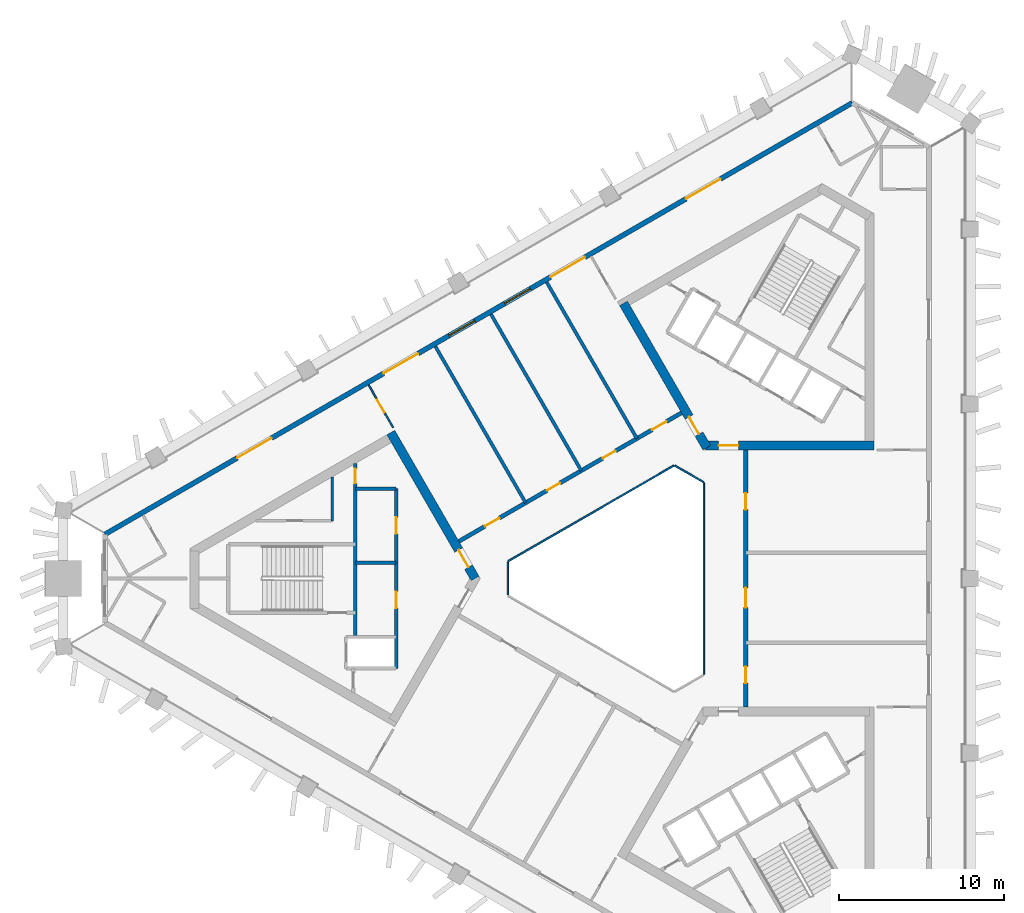
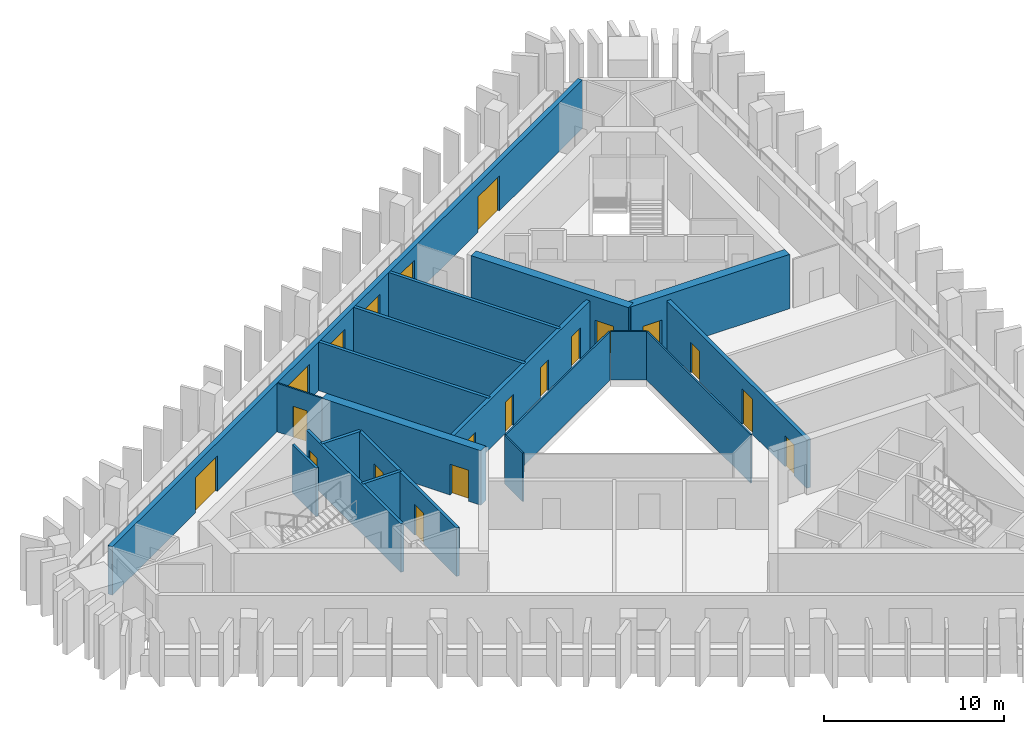
# One storey, part 4 of 9: 19 walls, 18 doors, 2 windows, 20 openings.
"""IFC4 building model written with IfcOpenShell, lengths in metres."""

import ifcopenshell
import ifcopenshell.guid

model = None  # the IFC model being written
_history = None  # IfcOwnerHistory: only IFC2X3 demands one
_inside = {}  # id of a spatial element -> (the spatial element, [elements in it])
_under = {}  # id of a project, library or spatial element -> (it, [spatial elements below it])
_declared = {}  # id of a project -> (the project, [libraries it declares])
_typed = {}  # id of a type object -> (the type object, [elements of that type])
_made_of = {}  # id of a material, layer set ... -> (it, [elements and type objects made of it])


def new_model(schema):
    """Start an empty IFC model of exactly this schema.

    Asked for "IFC4X3", IfcOpenShell would pick the latest addendum, in which some entities
    have other attributes; the version numbers below select the first issue.
    IFC2X3 requires an IfcOwnerHistory on every rooted entity: one is made here for all.
    """
    global model, _history
    if schema == "IFC4X3":
        model = ifcopenshell.file(schema_version=(4, 3, 0, 0))
    else:
        model = ifcopenshell.file(schema=schema)
    _inside.clear()
    _under.clear()
    _declared.clear()
    _typed.clear()
    _made_of.clear()
    _history = None
    if model.schema == "IFC2X3":
        org = make("IfcOrganization", Name="unknown")
        user = make(
            "IfcPersonAndOrganization",
            ThePerson=make("IfcPerson", FamilyName="unknown"),
            TheOrganization=org,
        )
        app = make(
            "IfcApplication",
            ApplicationDeveloper=org,
            Version="unknown",
            ApplicationFullName="unknown",
            ApplicationIdentifier="unknown",
        )
        _history = make(
            "IfcOwnerHistory",
            OwningUser=user,
            OwningApplication=app,
            ChangeAction="ADDED",
            CreationDate=0,
        )
    return model


def make(cls, **values):
    """One entity of the class cls with the attributes given. An attribute that is None is left unset."""
    return model.create_entity(
        cls, **{name: value for name, value in values.items() if value is not None}
    )


def rooted(cls, **values):
    """An entity with a GlobalId (a new one), such as an element, a storey or a relation."""
    return make(cls, GlobalId=ifcopenshell.guid.new(), OwnerHistory=_history, **values)


def si_unit(unit_type, name, prefix=None):
    """IfcSIUnit, for example si_unit("LENGTHUNIT", "METRE", prefix="MILLI")."""
    return make("IfcSIUnit", UnitType=unit_type, Prefix=prefix, Name=name)


def assignment(units):
    """IfcUnitAssignment: the units of a project."""
    return None if units is None else make("IfcUnitAssignment", Units=units)


def point(xyz):
    """IfcCartesianPoint."""
    return None if xyz is None else make("IfcCartesianPoint", Coordinates=xyz)


def direction(xyz):
    """IfcDirection."""
    return None if xyz is None else make("IfcDirection", DirectionRatios=xyz)


def frame(location, z_axis=None, x_axis=None):
    """IfcAxis2Placement3D, a coordinate frame: its origin and axes. An axis left out is left unset."""
    return make(
        "IfcAxis2Placement3D",
        Location=point(location),
        Axis=direction(z_axis),
        RefDirection=direction(x_axis),
    )


def frame_2d(location, x_axis=None):
    """IfcAxis2Placement2D, a coordinate frame in the plane: its origin and x axis."""
    return make(
        "IfcAxis2Placement2D", Location=point(location), RefDirection=direction(x_axis)
    )


def origin():
    """The frame at (0, 0, 0) with its axes left unset."""
    return frame((0.0, 0.0, 0.0))


def place(relative_to, where):
    """IfcLocalPlacement: puts the frame where relative to a parent placement (None: the world)."""
    return make(
        "IfcLocalPlacement", PlacementRelTo=relative_to, RelativePlacement=where
    )


def context(
    kind, dimensions, precision=None, world=None, true_north=None, identifier=None
):
    """IfcGeometricRepresentationContext, for example the 3D "Model" context."""
    return make(
        "IfcGeometricRepresentationContext",
        ContextIdentifier=identifier,
        ContextType=kind,
        CoordinateSpaceDimension=dimensions,
        Precision=precision,
        WorldCoordinateSystem=world,
        TrueNorth=true_north,
    )


def subcontext(parent, identifier, kind, view, scale=None):
    """IfcGeometricRepresentationSubContext, for example "Body" below "Model"."""
    return make(
        "IfcGeometricRepresentationSubContext",
        ContextIdentifier=identifier,
        ContextType=kind,
        ParentContext=parent,
        TargetScale=scale,
        TargetView=view,
    )


def project(units=None, contexts=None):
    """IfcProject with its units and contexts."""
    return rooted(
        "IfcProject",
        Name="project",
        RepresentationContexts=contexts,
        UnitsInContext=assignment(units),
    )


def spatial(cls, under=None, at=None, **own):
    """A site, building, storey or space (cls), placed at a placement, below another one or the project."""
    s = rooted(cls, ObjectPlacement=at, **own)
    if under is not None:
        _under.setdefault(under.id(), (under, []))[1].append(s)
    return s


def profile(cls, at=None, kind="AREA", **sizes):
    """A parametric profile (cls). Its sizes go by their IFC names, for example OverallWidth=200.0."""
    return make(cls, ProfileType=kind, Position=at, **sizes)


def rectangle(**sizes):
    """IfcRectangleProfileDef."""
    return profile("IfcRectangleProfileDef", **sizes)


def extrude(swept, where, along, depth):
    """IfcExtrudedAreaSolid: the profile swept, set in the frame where, extruded along a direction by depth."""
    return make(
        "IfcExtrudedAreaSolid",
        SweptArea=swept,
        Position=where,
        ExtrudedDirection=direction(along),
        Depth=depth,
    )


def shape(context_of_items, identifier, shape_type, items):
    """IfcShapeRepresentation: the items that make up one representation, for example the "Body"."""
    return make(
        "IfcShapeRepresentation",
        ContextOfItems=context_of_items,
        RepresentationIdentifier=identifier,
        RepresentationType=shape_type,
        Items=items,
    )


def material(Name=None, Category=None):
    """IfcMaterial."""
    return make("IfcMaterial", Name=Name, Category=Category)


def layer(
    of_material, thickness, ventilated=None, Name=None, Category=None, Priority=None
):
    """IfcMaterialLayer: one layer of a wall or slab, of a material (None: an air gap)."""
    return make(
        "IfcMaterialLayer",
        Material=of_material,
        LayerThickness=thickness,
        IsVentilated=ventilated,
        Name=Name,
        Category=Category,
        Priority=Priority,
    )


def layer_set(layers, Name=None):
    """IfcMaterialLayerSet."""
    return make("IfcMaterialLayerSet", MaterialLayers=layers, LayerSetName=Name)


def made_of(thing, what):
    """Note that an element or type object is made of a material, layer set ...; save() writes the relation."""
    if what is not None:
        _made_of.setdefault(what.id(), (what, []))[1].append(thing)
    return thing


def type_object(cls, material=None, **own):
    """A type object (cls), such as IfcWallType, which elements share."""
    return made_of(rooted(cls, **own), material)


def element(
    cls,
    number,
    at=None,
    inside=None,
    cuts=None,
    type_object=None,
    material=None,
    context=None,
    identifier="Body",
    shape_type=None,
    held_by="IfcProductDefinitionShape",
    body=None,
    shapes=None,
    **own,
):
    """One element of the class cls, such as IfcWall. Its Tag is "e" and its number.

    at: its placement. inside: the storey or other place that contains it. cuts: it is an
    opening in that element (IfcRelVoidsElement). A single representation is given by context,
    identifier, shape_type and body (its items); several are given by shapes. held_by: the class
    of the entity that holds the representations. save() writes the other relations.
    """
    e = rooted(cls, Tag="e%d" % number, ObjectPlacement=at, **own)
    if body is not None:
        shapes = [shape(context, identifier, shape_type, body)]
    if shapes is not None:
        e.Representation = make(held_by, Representations=shapes)
    if inside is not None:
        _inside.setdefault(inside.id(), (inside, []))[1].append(e)
    if cuts is not None:
        rooted(
            "IfcRelVoidsElement", RelatingBuildingElement=cuts, RelatedOpeningElement=e
        )
    if type_object is not None:
        _typed.setdefault(type_object.id(), (type_object, []))[1].append(e)
    return made_of(e, material)


def fill(opening, filler):
    """IfcRelFillsElement: the door or window that sits in an opening."""
    return rooted(
        "IfcRelFillsElement",
        RelatingOpeningElement=opening,
        RelatedBuildingElement=filler,
    )


def aggregate(whole, parts):
    """IfcRelAggregates: a whole, such as a stair, and the parts it consists of."""
    return rooted("IfcRelAggregates", RelatingObject=whole, RelatedObjects=parts)


def save(model, path):
    """Write the relations noted so far, then the file.

    IfcRelAggregates (storeys below a building ...), IfcRelContainedInSpatialStructure (elements
    in a storey), IfcRelDefinesByType, IfcRelAssociatesMaterial and IfcRelDeclares: one each for
    every whole, place, type object, material and project.
    """
    for whole, parts in _under.values():
        aggregate(whole, parts)
    for where, things in _inside.values():
        rooted(
            "IfcRelContainedInSpatialStructure",
            RelatedElements=things,
            RelatingStructure=where,
        )
    for kind, things in _typed.values():
        rooted("IfcRelDefinesByType", RelatedObjects=things, RelatingType=kind)
    for what, things in _made_of.values():
        rooted("IfcRelAssociatesMaterial", RelatedObjects=things, RelatingMaterial=what)
    for by, libraries in _declared.values():
        rooted("IfcRelDeclares", RelatingContext=by, RelatedDefinitions=libraries)
    model.write(path)


model = new_model("IFC4")

# Units and contexts
model_context = context("Model", 3, precision=1e-05, world=origin(), true_north=direction((0.0, 1.0)))
body_context = subcontext(model_context, "Body", "Model", "MODEL_VIEW")
ifc_project = project(units=[si_unit("LENGTHUNIT", "METRE"), si_unit("AREAUNIT", "SQUARE_METRE"), si_unit("VOLUMEUNIT", "CUBIC_METRE"), si_unit("PLANEANGLEUNIT", "RADIAN"), si_unit("MASSUNIT", "GRAM", prefix="KILO")], contexts=[model_context])

# Site, building, storey
site_placement = place(None, origin())
site = spatial("IfcSite", under=ifc_project, at=site_placement, CompositionType="ELEMENT")
building_placement = place(site_placement, origin())
building = spatial("IfcBuilding", under=site, at=building_placement, Name="Jabali Bay Hotel Tower and Convention Centre", CompositionType="ELEMENT")
storey_placement = place(building_placement, frame((0.0, 0.0, 193.300048828125)))
storey = spatial("IfcBuildingStorey", under=building, at=storey_placement, Name="L47", CompositionType="ELEMENT", Elevation=193.300048828125)

# Walls
ifc_material_1 = material(Name="Fire-resistant glazing", Category="glass")
ifc_layer_1 = layer(ifc_material_1, 0.10009765625)
ifc_layer_set_1 = layer_set([ifc_layer_1], Name="Fire-resistant glazing")
wall_type_1 = type_object("IfcWallType", Name="Atrium glazed screen 100", PredefinedType="PARTITIONING", material=ifc_layer_set_1)
wall_1_placement = place(storey_placement, frame((79.56005859375, 74.205810546875, 0.0), z_axis=(0.0, 0.0, 1.0), x_axis=(0.0, 1.0, 0.0)))
element("IfcWall", 1, at=wall_1_placement, inside=storey, type_object=wall_type_1, Name="Atrium screen 1 L47", PredefinedType="PARTITIONING", context=body_context, shape_type="SweptSolid", body=[
    extrude(rectangle(XDim=11.58837890625, YDim=0.10009765625, at=frame_2d((5.794189453125, 0.0))), origin(), (0.0, 0.0, 1.0), 3.300048828125),
])
wall_2_placement = place(storey_placement, frame((79.530029296875, 85.84619140625, 0.0), z_axis=(0.0, 0.0, 1.0), x_axis=(-0.866041268327, 0.499972520799, 0.0)))
element("IfcWall", 2, at=wall_2_placement, inside=storey, type_object=wall_type_1, Name="Atrium screen 2 L47", PredefinedType="PARTITIONING", context=body_context, shape_type="SweptSolid", body=[
    extrude(rectangle(XDim=2.0, YDim=0.10009765625, at=frame_2d((1.0, 0.0))), origin(), (0.0, 0.0, 1.0), 3.300048828125),
])
wall_3_placement = place(storey_placement, frame((77.738037109375, 86.84619140625, 0.0), z_axis=(0.0, 0.0, 1.0), x_axis=(-0.866026658274, -0.499997827154, 0.0)))
element("IfcWall", 3, at=wall_3_placement, inside=storey, type_object=wall_type_1, Name="Atrium screen 3 L47", PredefinedType="PARTITIONING", context=body_context, shape_type="SweptSolid", body=[
    extrude(rectangle(XDim=11.58837890625, YDim=0.10009765625, at=frame_2d((5.794189453125, 0.0))), origin(), (0.0, 0.0, 1.0), 3.300048828125),
])
wall_4_placement = place(storey_placement, frame((67.672119140625, 81.0, 0.0), z_axis=(0.0, 0.0, 1.0), x_axis=(0.0, -1.0, 0.0)))
element("IfcWall", 4, at=wall_4_placement, inside=storey, type_object=wall_type_1, Name="Atrium screen 4 L47", PredefinedType="PARTITIONING", context=body_context, shape_type="SweptSolid", body=[
    extrude(rectangle(XDim=2.0, YDim=0.10009765625, at=frame_2d((1.0, 0.0))), origin(), (0.0, 0.0, 1.0), 3.300048828125),
])
ifc_material_2 = material(Name="Fire-rated board partition")
ifc_layer_2 = layer(ifc_material_2, 0.14990234375)
ifc_layer_set_2 = layer_set([ifc_layer_2], Name="Fire-rated board partition")
wall_type_2 = type_object("IfcWallType", Name="Core room partition 150", PredefinedType="PARTITIONING", material=ifc_layer_set_2)
wall_5_placement = place(storey_placement, frame((57.02001953125, 86.166015625, 0.0), z_axis=(0.0, 0.0, 1.0), x_axis=(0.0, -1.0, 0.0)))
element("IfcWall", 5, at=wall_5_placement, inside=storey, type_object=wall_type_2, Name="Core wall 0.12 L47", PredefinedType="PARTITIONING", context=body_context, shape_type="SweptSolid", body=[
    extrude(rectangle(XDim=2.666015625, YDim=0.14990234375, at=frame_2d((1.3330078125, 0.0))), origin(), (0.0, 0.0, 1.0), 3.300048828125),
])
ifc_material_3 = material(Name="Concrete C40", Category="concrete")
ifc_layer_3 = layer(ifc_material_3, 0.199951171875)
ifc_layer_set_3 = layer_set([ifc_layer_3], Name="Concrete C40")
wall_type_3 = type_object("IfcWallType", Name="Core stair wall 200", PredefinedType="SOLIDWALL", material=ifc_layer_set_3)
for number, where, z_axis, x_axis, name in (
    (6, (60.89990234375, 85.449951171875, 0.0), (0.0, 0.0, 1.0), (-1.0, 0.0, 0.0), "Core wall 0.0 L47"),
    (7, (60.89990234375, 80.949951171875, 0.0), (0.0, 0.0, 1.0), (-1.0, 0.0, 0.0), "Core wall 0.3 L47"),
):
    element("IfcWall", number, at=place(storey_placement, frame(where, z_axis=z_axis, x_axis=x_axis)), inside=storey, type_object=wall_type_3, Name=name, PredefinedType="SOLIDWALL", context=body_context, shape_type="SweptSolid", body=[
        extrude(rectangle(XDim=2.47998046875, YDim=0.199951171875, at=frame_2d((1.239990234375, 0.0))), origin(), (0.0, 0.0, 1.0), 3.300048828125),
    ])

# Wall, openings, doors
wall_6_placement = place(storey_placement, frame((60.89990234375, 85.449951171875, 0.0), z_axis=(0.0, 0.0, 1.0), x_axis=(0.0, -1.0, 0.0)))
wall_6 = element("IfcWall", 8, at=wall_6_placement, inside=storey, type_object=wall_type_3, Name="Core wall 0.8 L47", PredefinedType="SOLIDWALL", context=body_context, shape_type="SweptSolid", body=[
    extrude(rectangle(XDim=10.89990234375, YDim=0.199951171875, at=frame_2d((5.449951171875, 0.0))), origin(), (0.0, 0.0, 1.0), 3.300048828125),
])
opening_1_placement = place(wall_6_placement, frame((1.75, 0.0, 0.0)))
opening_1 = element("IfcOpeningElement", 9, at=opening_1_placement, cuts=wall_6, Name="Opening D1010", PredefinedType="OPENING", context=body_context, shape_type="SweptSolid", body=[
    extrude(rectangle(XDim=1.0, YDim=2.10009765625, at=frame_2d((0.5, 1.050048828125))), frame((0.0, 0.1103515625, 0.0), z_axis=(0.0, -1.0, 0.0), x_axis=(1.0, 0.0, 0.0)), (0.0, 0.0, 1.0), 0.220947265625),
])
opening_2_placement = place(wall_6_placement, frame((6.25, 0.0, 0.0)))
opening_2 = element("IfcOpeningElement", 10, at=opening_2_placement, cuts=wall_6, Name="Opening D1011", PredefinedType="OPENING", context=body_context, shape_type="SweptSolid", body=[
    extrude(rectangle(XDim=1.0, YDim=2.10009765625, at=frame_2d((0.5, 1.050048828125))), frame((0.0, 0.1103515625, 0.0), z_axis=(0.0, -1.0, 0.0), x_axis=(1.0, 0.0, 0.0)), (0.0, 0.0, 1.0), 0.220947265625),
])
ifc_material_4 = material(Name="Fire-rated steel door", Category="steel")
door_type_1 = type_object("IfcDoorType", Name="Core room door 1000 x 2100", OperationType="NOTDEFINED", PredefinedType="NOTDEFINED", material=ifc_material_4)
door_1_placement = place(opening_1_placement, origin())
door_1 = element("IfcDoor", 11, at=door_1_placement, inside=storey, type_object=door_type_1, Name="Core room door D1010", OperationType="SINGLE_SWING_RIGHT", OverallHeight=2.10009765625, OverallWidth=1.0, PredefinedType="NOTDEFINED", context=body_context, shape_type="SweptSolid", body=[
    extrude(rectangle(XDim=1.0, YDim=2.10009765625, at=frame_2d((0.5, 1.050048828125))), frame((0.0, 0.02490234375, 0.0), z_axis=(0.0, -1.0, 0.0), x_axis=(1.0, 0.0, 0.0)), (0.0, 0.0, 1.0), 0.050048828125),
])
fill(opening_1, door_1)
door_2_placement = place(opening_2_placement, origin())
door_2 = element("IfcDoor", 12, at=door_2_placement, inside=storey, type_object=door_type_1, Name="Core room door D1011", OperationType="SINGLE_SWING_RIGHT", OverallHeight=2.10009765625, OverallWidth=1.0, PredefinedType="NOTDEFINED", context=body_context, shape_type="SweptSolid", body=[
    extrude(rectangle(XDim=1.0, YDim=2.10009765625, at=frame_2d((0.5, 1.050048828125))), frame((0.0, 0.02490234375, 0.0), z_axis=(0.0, -1.0, 0.0), x_axis=(1.0, 0.0, 0.0)), (0.0, 0.0, 1.0), 0.050048828125),
])
fill(opening_2, door_2)

# Wall, opening, door
wall_7_placement = place(storey_placement, frame((58.419921875, 86.974365234375, 0.0), z_axis=(0.0, 0.0, 1.0), x_axis=(0.0, -1.0, 0.0)))
wall_7 = element("IfcWall", 13, at=wall_7_placement, inside=storey, type_object=wall_type_3, Name="Core wall 0.9 L47", PredefinedType="SOLIDWALL", context=body_context, shape_type="SweptSolid", body=[
    extrude(rectangle(XDim=10.5244140625, YDim=0.199951171875, at=frame_2d((5.26220703125, 0.0))), origin(), (0.0, 0.0, 1.0), 3.300048828125),
])
opening_3_placement = place(wall_7_placement, frame((0.312255859375, 0.0, 0.0)))
opening_3 = element("IfcOpeningElement", 14, at=opening_3_placement, cuts=wall_7, Name="Opening D1013", PredefinedType="OPENING", context=body_context, shape_type="SweptSolid", body=[
    extrude(rectangle(XDim=0.89990234375, YDim=2.10009765625, at=frame_2d((0.449951171875, 1.050048828125))), frame((0.0, 0.1103515625, 0.0), z_axis=(0.0, -1.0, 0.0), x_axis=(1.0, 0.0, 0.0)), (0.0, 0.0, 1.0), 0.220947265625),
])
door_type_2 = type_object("IfcDoorType", Name="Vestibule fire door 900 x 2100", OperationType="NOTDEFINED", PredefinedType="NOTDEFINED", material=ifc_material_4)
door_3_placement = place(opening_3_placement, origin())
door_3 = element("IfcDoor", 15, at=door_3_placement, inside=storey, type_object=door_type_2, Name="Vestibule fire door D1013", OperationType="SINGLE_SWING_LEFT", OverallHeight=2.10009765625, OverallWidth=0.89990234375, PredefinedType="NOTDEFINED", context=body_context, shape_type="SweptSolid", body=[
    extrude(rectangle(XDim=0.89990234375, YDim=2.10009765625, at=frame_2d((0.449951171875, 1.050048828125))), frame((0.0, 0.02490234375, 0.0), z_axis=(0.0, -1.0, 0.0), x_axis=(1.0, 0.0, 0.0)), (0.0, 0.0, 1.0), 0.050048828125),
])
fill(opening_3, door_3)

ifc_material_5 = material(Name="Concrete C60", Category="concrete")
ifc_layer_4 = layer(ifc_material_5, 0.550048828125)
ifc_layer_set_4 = layer_set([ifc_layer_4], Name="Concrete C60")
wall_type_4 = type_object("IfcWallType", Name="Core wall 550", PredefinedType="SHEAR", material=ifc_layer_set_4)
wall_8_placement = place(storey_placement, frame((65.682373046875, 80.0, 0.0), z_axis=(0.0, 0.0, 1.0), x_axis=(-0.500000202252, 0.866025287014, 0.0)))
wall_8 = element("IfcWall", 16, at=wall_8_placement, inside=storey, type_object=wall_type_4, Name="Core wall 1.1 L47", PredefinedType="SHEAR", context=body_context, shape_type="SweptSolid", body=[
    extrude(rectangle(XDim=10.22119140625, YDim=0.550048828125, at=frame_2d((5.110595703125, 0.0))), origin(), (0.0, 0.0, 1.0), 3.699951171875),
])
opening_4_placement = place(wall_8_placement, frame((0.791259765625, 0.0, 0.0)))
opening_4 = element("IfcOpeningElement", 17, at=opening_4_placement, cuts=wall_8, Name="Opening D1008", PredefinedType="OPENING", context=body_context, shape_type="SweptSolid", body=[
    extrude(rectangle(XDim=1.199951171875, YDim=2.10009765625, at=frame_2d((0.60009765625, 1.050048828125))), frame((0.0, 0.28564453125, 0.0), z_axis=(0.0, -1.0, 0.0), x_axis=(1.0, 0.0, 0.0)), (0.0, 0.0, 1.0), 0.571044921875),
])
door_type_3 = type_object("IfcDoorType", Name="Corridor end fire door 1200 x 2100", OperationType="NOTDEFINED", PredefinedType="NOTDEFINED", material=ifc_material_4)
door_4_placement = place(opening_4_placement, origin())
door_4 = element("IfcDoor", 18, at=door_4_placement, inside=storey, type_object=door_type_3, Name="Corridor end fire door D1008", OperationType="SINGLE_SWING_RIGHT", OverallHeight=2.10009765625, OverallWidth=1.199951171875, PredefinedType="NOTDEFINED", context=body_context, shape_type="SweptSolid", body=[
    extrude(rectangle(XDim=1.199951171875, YDim=2.10009765625, at=frame_2d((0.60009765625, 1.050048828125))), frame((0.0, 0.02490234375, 0.0), z_axis=(0.0, -1.0, 0.0), x_axis=(1.0, 0.0, 0.0)), (0.0, 0.0, 1.0), 0.050048828125),
])
fill(opening_4, door_4)

wall_9_placement = place(storey_placement, frame((79.65869140625, 88.0693359375, 0.0), z_axis=(0.0, 0.0, 1.0), x_axis=(1.0, 0.0, 0.0)))
wall_9 = element("IfcWall", 19, at=wall_9_placement, inside=storey, type_object=wall_type_4, Name="Core wall 2.1 L47", PredefinedType="SHEAR", context=body_context, shape_type="SweptSolid", body=[
    extrude(rectangle(XDim=10.22119140625, YDim=0.550048828125, at=frame_2d((5.110595703125, 0.0))), origin(), (0.0, 0.0, 1.0), 3.699951171875),
])
opening_5_placement = place(wall_9_placement, frame((0.791259765625, 0.0, 0.0)))
opening_5 = element("IfcOpeningElement", 20, at=opening_5_placement, cuts=wall_9, Name="Opening D1016", PredefinedType="OPENING", context=body_context, shape_type="SweptSolid", body=[
    extrude(rectangle(XDim=1.199951171875, YDim=2.10009765625, at=frame_2d((0.60009765625, 1.050048828125))), frame((0.0, 0.28564453125, 0.0), z_axis=(0.0, -1.0, 0.0), x_axis=(1.0, 0.0, 0.0)), (0.0, 0.0, 1.0), 0.571044921875),
])
door_5_placement = place(opening_5_placement, origin())
door_5 = element("IfcDoor", 21, at=door_5_placement, inside=storey, type_object=door_type_3, Name="Corridor end fire door D1016", OperationType="SINGLE_SWING_RIGHT", OverallHeight=2.10009765625, OverallWidth=1.199951171875, PredefinedType="NOTDEFINED", context=body_context, shape_type="SweptSolid", body=[
    extrude(rectangle(XDim=1.199951171875, YDim=2.10009765625, at=frame_2d((0.60009765625, 1.050048828125))), frame((0.0, 0.02490234375, 0.0), z_axis=(0.0, -1.0, 0.0), x_axis=(1.0, 0.0, 0.0)), (0.0, 0.0, 1.0), 0.050048828125),
])
fill(opening_5, door_5)

wall_10_placement = place(storey_placement, frame((74.685546875, 96.682861328125, 0.0), z_axis=(0.0, 0.0, 1.0), x_axis=(0.499997818338, -0.866026663364, 0.0)))
wall_10 = element("IfcWall", 22, at=wall_10_placement, inside=storey, type_object=wall_type_4, Name="Core wall 2.5 L47", PredefinedType="SHEAR", context=body_context, shape_type="SweptSolid", body=[
    extrude(rectangle(XDim=10.10498046875, YDim=0.550048828125, at=frame_2d((5.052490234375, 0.0))), origin(), (0.0, 0.0, 1.0), 3.699951171875),
])
opening_6_placement = place(wall_10_placement, frame((7.955078125, 0.0, 0.0)))
opening_6 = element("IfcOpeningElement", 23, at=opening_6_placement, cuts=wall_10, Name="Opening D1017", PredefinedType="OPENING", context=body_context, shape_type="SweptSolid", body=[
    extrude(rectangle(XDim=1.199951171875, YDim=2.10009765625, at=frame_2d((0.60009765625, 1.050048828125))), frame((0.0, 0.28564453125, 0.0), z_axis=(0.0, -1.0, 0.0), x_axis=(1.0, 0.0, 0.0)), (0.0, 0.0, 1.0), 0.571044921875),
])
door_6_placement = place(opening_6_placement, origin())
door_6 = element("IfcDoor", 24, at=door_6_placement, inside=storey, type_object=door_type_3, Name="Corridor end fire door D1017", OperationType="SINGLE_SWING_LEFT", OverallHeight=2.10009765625, OverallWidth=1.199951171875, PredefinedType="NOTDEFINED", context=body_context, shape_type="SweptSolid", body=[
    extrude(rectangle(XDim=1.199951171875, YDim=2.10009765625, at=frame_2d((0.60009765625, 1.050048828125))), frame((0.0, 0.02490234375, 0.0), z_axis=(0.0, -1.0, 0.0), x_axis=(1.0, 0.0, 0.0)), (0.0, 0.0, 1.0), 0.050048828125),
])
fill(opening_6, door_6)

# Wall, openings, doors
ifc_layer_5 = layer(ifc_material_5, 0.25)
ifc_layer_set_5 = layer_set([ifc_layer_5], Name="Concrete C60")
wall_type_5 = type_object("IfcWallType", Name="Corridor wall 250", PredefinedType="SHEAR", material=ifc_layer_set_5)
wall_11_placement = place(storey_placement, frame((82.10009765625, 72.205810546875, 0.0), z_axis=(0.0, 0.0, 1.0), x_axis=(0.0, 1.0, 0.0)))
wall_11 = element("IfcWall", 25, at=wall_11_placement, inside=storey, type_object=wall_type_5, Name="Corridor wall 1 L47", PredefinedType="SHEAR", context=body_context, shape_type="SweptSolid", body=[
    extrude(rectangle(XDim=15.58837890625, YDim=0.25, at=frame_2d((7.794189453125, 0.0))), origin(), (0.0, 0.0, 1.0), 3.300048828125),
])
opening_7_placement = place(wall_11_placement, frame((1.448486328125, 0.0, 0.0)))
opening_7 = element("IfcOpeningElement", 26, at=opening_7_placement, cuts=wall_11, Name="Opening 4701", PredefinedType="OPENING", context=body_context, shape_type="SweptSolid", body=[
    extrude(rectangle(XDim=1.0, YDim=2.10009765625, at=frame_2d((0.5, 1.050048828125))), frame((0.0, 0.135498046875, 0.0), z_axis=(0.0, -1.0, 0.0), x_axis=(1.0, 0.0, 0.0)), (0.0, 0.0, 1.0), 0.27099609375),
])
opening_8_placement = place(wall_11_placement, frame((6.025146484375, 0.0, 0.0)))
opening_8 = element("IfcOpeningElement", 27, at=opening_8_placement, cuts=wall_11, Name="Opening 4704", PredefinedType="OPENING", context=body_context, shape_type="SweptSolid", body=[
    extrude(rectangle(XDim=1.199951171875, YDim=2.39990234375, at=frame_2d((0.60009765625, 1.199951171875))), frame((0.0, 0.135498046875, 0.0), z_axis=(0.0, -1.0, 0.0), x_axis=(1.0, 0.0, 0.0)), (0.0, 0.0, 1.0), 0.27099609375),
])
opening_9_placement = place(wall_11_placement, frame((11.970703125, 0.0, 0.0)))
opening_9 = element("IfcOpeningElement", 28, at=opening_9_placement, cuts=wall_11, Name="Opening 4705", PredefinedType="OPENING", context=body_context, shape_type="SweptSolid", body=[
    extrude(rectangle(XDim=1.0, YDim=2.10009765625, at=frame_2d((0.5, 1.050048828125))), frame((0.0, 0.135498046875, 0.0), z_axis=(0.0, -1.0, 0.0), x_axis=(1.0, 0.0, 0.0)), (0.0, 0.0, 1.0), 0.27099609375),
])
ifc_material_6 = material(Name="Timber", Category="wood")
door_type_4 = type_object("IfcDoorType", Name="Guest room door 1000 x 2100", OperationType="NOTDEFINED", PredefinedType="NOTDEFINED", material=ifc_material_6)
door_7_placement = place(opening_7_placement, origin())
door_7 = element("IfcDoor", 29, at=door_7_placement, inside=storey, type_object=door_type_4, Name="Door 4701", OperationType="SINGLE_SWING_LEFT", OverallHeight=2.10009765625, OverallWidth=1.0, PredefinedType="NOTDEFINED", context=body_context, shape_type="SweptSolid", body=[
    extrude(rectangle(XDim=1.0, YDim=2.10009765625, at=frame_2d((0.5, 1.050048828125))), frame((0.0, 0.02490234375, 0.0), z_axis=(0.0, -1.0, 0.0), x_axis=(1.0, 0.0, 0.0)), (0.0, 0.0, 1.0), 0.050048828125),
])
fill(opening_7, door_7)
door_8_placement = place(opening_9_placement, origin())
door_8 = element("IfcDoor", 30, at=door_8_placement, inside=storey, type_object=door_type_4, Name="Door 4705", OperationType="SINGLE_SWING_RIGHT", OverallHeight=2.10009765625, OverallWidth=1.0, PredefinedType="NOTDEFINED", context=body_context, shape_type="SweptSolid", body=[
    extrude(rectangle(XDim=1.0, YDim=2.10009765625, at=frame_2d((0.5, 1.050048828125))), frame((0.0, 0.02490234375, 0.0), z_axis=(0.0, -1.0, 0.0), x_axis=(1.0, 0.0, 0.0)), (0.0, 0.0, 1.0), 0.050048828125),
])
fill(opening_9, door_8)
door_type_5 = type_object("IfcDoorType", Name="Public room door 1200 x 2400", OperationType="NOTDEFINED", PredefinedType="NOTDEFINED", material=ifc_material_6)
door_9_placement = place(opening_8_placement, origin())
door_9 = element("IfcDoor", 31, at=door_9_placement, inside=storey, type_object=door_type_5, Name="Door 4704", OperationType="SINGLE_SWING_LEFT", OverallHeight=2.39990234375, OverallWidth=1.199951171875, PredefinedType="NOTDEFINED", context=body_context, shape_type="SweptSolid", body=[
    extrude(rectangle(XDim=1.199951171875, YDim=2.39990234375, at=frame_2d((0.60009765625, 1.199951171875))), frame((0.0, 0.02490234375, 0.0), z_axis=(0.0, -1.0, 0.0), x_axis=(1.0, 0.0, 0.0)), (0.0, 0.0, 1.0), 0.050048828125),
])
fill(opening_8, door_9)

wall_12_placement = place(storey_placement, frame((78.199951171875, 90.0458984375, 0.0), z_axis=(0.0, 0.0, 1.0), x_axis=(-0.866026492143, -0.499998114903, 0.0)))
wall_12 = element("IfcWall", 32, at=wall_12_placement, inside=storey, type_object=wall_type_5, Name="Corridor wall 2 L47", PredefinedType="SHEAR", context=body_context, shape_type="SweptSolid", body=[
    extrude(rectangle(XDim=15.58837890625, YDim=0.25, at=frame_2d((7.794189453125, 0.0))), origin(), (0.0, 0.0, 1.0), 3.300048828125),
])
opening_10_placement = place(wall_12_placement, frame((1.058837890625, 0.0, 0.0)))
opening_10 = element("IfcOpeningElement", 33, at=opening_10_placement, cuts=wall_12, Name="Opening 4708", PredefinedType="OPENING", context=body_context, shape_type="SweptSolid", body=[
    extrude(rectangle(XDim=1.0, YDim=2.10009765625, at=frame_2d((0.5, 1.050048828125))), frame((0.0, 0.135498046875, 0.0), z_axis=(0.0, -1.0, 0.0), x_axis=(1.0, 0.0, 0.0)), (0.0, 0.0, 1.0), 0.27099609375),
])
opening_11_placement = place(wall_12_placement, frame((4.6162109375, 0.0, 0.0)))
opening_11 = element("IfcOpeningElement", 34, at=opening_11_placement, cuts=wall_12, Name="Opening 4711", PredefinedType="OPENING", context=body_context, shape_type="SweptSolid", body=[
    extrude(rectangle(XDim=0.89990234375, YDim=2.10009765625, at=frame_2d((0.449951171875, 1.050048828125))), frame((0.0, 0.135498046875, 0.0), z_axis=(0.0, -1.0, 0.0), x_axis=(1.0, 0.0, 0.0)), (0.0, 0.0, 1.0), 0.27099609375),
])
opening_12_placement = place(wall_12_placement, frame((8.513427734375, 0.0, 0.0)))
opening_12 = element("IfcOpeningElement", 35, at=opening_12_placement, cuts=wall_12, Name="Opening 4712", PredefinedType="OPENING", context=body_context, shape_type="SweptSolid", body=[
    extrude(rectangle(XDim=0.89990234375, YDim=2.10009765625, at=frame_2d((0.449951171875, 1.050048828125))), frame((0.0, 0.135498046875, 0.0), z_axis=(0.0, -1.0, 0.0), x_axis=(1.0, 0.0, 0.0)), (0.0, 0.0, 1.0), 0.27099609375),
])
opening_13_placement = place(wall_12_placement, frame((12.750244140625, 0.0, 0.0)))
opening_13 = element("IfcOpeningElement", 36, at=opening_13_placement, cuts=wall_12, Name="Opening 4713", PredefinedType="OPENING", context=body_context, shape_type="SweptSolid", body=[
    extrude(rectangle(XDim=1.0, YDim=2.10009765625, at=frame_2d((0.5, 1.050048828125))), frame((0.0, 0.135498046875, 0.0), z_axis=(0.0, -1.0, 0.0), x_axis=(1.0, 0.0, 0.0)), (0.0, 0.0, 1.0), 0.27099609375),
])
door_10_placement = place(opening_10_placement, origin())
door_10 = element("IfcDoor", 37, at=door_10_placement, inside=storey, type_object=door_type_4, Name="Door 4708", OperationType="SINGLE_SWING_LEFT", OverallHeight=2.10009765625, OverallWidth=1.0, PredefinedType="NOTDEFINED", context=body_context, shape_type="SweptSolid", body=[
    extrude(rectangle(XDim=1.0, YDim=2.10009765625, at=frame_2d((0.5, 1.050048828125))), frame((0.0, 0.02490234375, 0.0), z_axis=(0.0, -1.0, 0.0), x_axis=(1.0, 0.0, 0.0)), (0.0, 0.0, 1.0), 0.050048828125),
])
fill(opening_10, door_10)
door_11_placement = place(opening_13_placement, origin())
door_11 = element("IfcDoor", 38, at=door_11_placement, inside=storey, type_object=door_type_4, Name="Door 4713", OperationType="SINGLE_SWING_RIGHT", OverallHeight=2.10009765625, OverallWidth=1.0, PredefinedType="NOTDEFINED", context=body_context, shape_type="SweptSolid", body=[
    extrude(rectangle(XDim=1.0, YDim=2.10009765625, at=frame_2d((0.5, 1.050048828125))), frame((0.0, 0.02490234375, 0.0), z_axis=(0.0, -1.0, 0.0), x_axis=(1.0, 0.0, 0.0)), (0.0, 0.0, 1.0), 0.050048828125),
])
fill(opening_13, door_11)
door_type_6 = type_object("IfcDoorType", Name="Internal door 900 x 2100", OperationType="NOTDEFINED", PredefinedType="NOTDEFINED", material=ifc_material_6)
door_12_placement = place(opening_11_placement, origin())
door_12 = element("IfcDoor", 39, at=door_12_placement, inside=storey, type_object=door_type_6, Name="Door 4711", OperationType="SINGLE_SWING_LEFT", OverallHeight=2.10009765625, OverallWidth=0.89990234375, PredefinedType="NOTDEFINED", context=body_context, shape_type="SweptSolid", body=[
    extrude(rectangle(XDim=0.89990234375, YDim=2.10009765625, at=frame_2d((0.449951171875, 1.050048828125))), frame((0.0, 0.02490234375, 0.0), z_axis=(0.0, -1.0, 0.0), x_axis=(1.0, 0.0, 0.0)), (0.0, 0.0, 1.0), 0.050048828125),
])
fill(opening_11, door_12)
door_13_placement = place(opening_12_placement, origin())
door_13 = element("IfcDoor", 40, at=door_13_placement, inside=storey, type_object=door_type_6, Name="Door 4712", OperationType="SINGLE_SWING_RIGHT", OverallHeight=2.10009765625, OverallWidth=0.89990234375, PredefinedType="NOTDEFINED", context=body_context, shape_type="SweptSolid", body=[
    extrude(rectangle(XDim=0.89990234375, YDim=2.10009765625, at=frame_2d((0.449951171875, 1.050048828125))), frame((0.0, 0.02490234375, 0.0), z_axis=(0.0, -1.0, 0.0), x_axis=(1.0, 0.0, 0.0)), (0.0, 0.0, 1.0), 0.050048828125),
])
fill(opening_12, door_13)

# Wall, openings, doors, windows
ifc_layer_6 = layer(ifc_material_3, 0.300048828125)
ifc_layer_set_6 = layer_set([ifc_layer_6], Name="Concrete C40")
wall_type_6 = type_object("IfcWallType", Name="External wall 300", PredefinedType="SOLIDWALL", material=ifc_layer_set_6)
wall_13_placement = place(storey_placement, frame((43.231689453125, 82.677734375, 0.0), z_axis=(0.0, 0.0, 1.0), x_axis=(0.866025125259, 0.500000482419, 0.0)))
wall_13 = element("IfcWall", 41, at=wall_13_placement, inside=storey, type_object=wall_type_6, Name="External wall north-west face L47", PredefinedType="SOLIDWALL", context=body_context, shape_type="SweptSolid", body=[
    extrude(rectangle(XDim=52.3466796875, YDim=0.300048828125, at=frame_2d((26.17333984375, 0.0))), origin(), (0.0, 0.0, 1.0), 3.300048828125),
])
opening_14_placement = place(wall_13_placement, frame((31.208740234375, 0.0, 0.0)))
opening_14 = element("IfcOpeningElement", 42, at=opening_14_placement, cuts=wall_13, Name="Opening SD1", PredefinedType="OPENING", context=body_context, shape_type="SweptSolid", body=[
    extrude(rectangle(XDim=2.39990234375, YDim=2.39990234375, at=frame_2d((1.199951171875, 1.199951171875))), frame((0.0, 0.16064453125, 0.0), z_axis=(0.0, -1.0, 0.0), x_axis=(1.0, 0.0, 0.0)), (0.0, 0.0, 1.0), 0.321044921875),
])
opening_15_placement = place(wall_13_placement, frame((40.700439453125, 0.0, 0.0)))
opening_15 = element("IfcOpeningElement", 43, at=opening_15_placement, cuts=wall_13, Name="Opening SD1", PredefinedType="OPENING", context=body_context, shape_type="SweptSolid", body=[
    extrude(rectangle(XDim=2.39990234375, YDim=2.39990234375, at=frame_2d((1.199951171875, 1.199951171875))), frame((0.0, 0.16064453125, 0.0), z_axis=(0.0, -1.0, 0.0), x_axis=(1.0, 0.0, 0.0)), (0.0, 0.0, 1.0), 0.321044921875),
])
opening_16_placement = place(wall_13_placement, frame((19.517333984375, 0.0, 0.0)))
opening_16 = element("IfcOpeningElement", 44, at=opening_16_placement, cuts=wall_13, Name="Opening SD1", PredefinedType="OPENING", context=body_context, shape_type="SweptSolid", body=[
    extrude(rectangle(XDim=2.39990234375, YDim=2.39990234375, at=frame_2d((1.199951171875, 1.199951171875))), frame((0.0, 0.16064453125, 0.0), z_axis=(0.0, -1.0, 0.0), x_axis=(1.0, 0.0, 0.0)), (0.0, 0.0, 1.0), 0.321044921875),
])
opening_17_placement = place(wall_13_placement, frame((9.27001953125, 0.0, 0.0)))
opening_17 = element("IfcOpeningElement", 45, at=opening_17_placement, cuts=wall_13, Name="Opening SD1", PredefinedType="OPENING", context=body_context, shape_type="SweptSolid", body=[
    extrude(rectangle(XDim=2.39990234375, YDim=2.39990234375, at=frame_2d((1.199951171875, 1.199951171875))), frame((0.0, 0.16064453125, 0.0), z_axis=(0.0, -1.0, 0.0), x_axis=(1.0, 0.0, 0.0)), (0.0, 0.0, 1.0), 0.321044921875),
])
opening_18_placement = place(wall_13_placement, frame((28.001220703125, 0.0, 0.89990234375)))
opening_18 = element("IfcOpeningElement", 46, at=opening_18_placement, cuts=wall_13, Name="Opening W1", PredefinedType="OPENING", context=body_context, shape_type="SweptSolid", body=[
    extrude(rectangle(XDim=1.800048828125, YDim=1.5, at=frame_2d((0.89990234375, 0.75))), frame((0.0, 0.16064453125, 0.0), z_axis=(0.0, -1.0, 0.0), x_axis=(1.0, 0.0, 0.0)), (0.0, 0.0, 1.0), 0.321044921875),
])
opening_19_placement = place(wall_13_placement, frame((24.104248046875, 0.0, 0.89990234375)))
opening_19 = element("IfcOpeningElement", 47, at=opening_19_placement, cuts=wall_13, Name="Opening W1", PredefinedType="OPENING", context=body_context, shape_type="SweptSolid", body=[
    extrude(rectangle(XDim=1.800048828125, YDim=1.5, at=frame_2d((0.89990234375, 0.75))), frame((0.0, 0.16064453125, 0.0), z_axis=(0.0, -1.0, 0.0), x_axis=(1.0, 0.0, 0.0)), (0.0, 0.0, 1.0), 0.321044921875),
])
ifc_material_7 = material(Name="Glass", Category="glass")
door_type_7 = type_object("IfcDoorType", Name="Loggia sliding door 2400 x 2400", OperationType="NOTDEFINED", PredefinedType="NOTDEFINED", material=ifc_material_7)
door_14_placement = place(opening_14_placement, origin())
door_14 = element("IfcDoor", 48, at=door_14_placement, inside=storey, type_object=door_type_7, Name="Loggia sliding door 4703", OperationType="SLIDING_TO_LEFT", OverallHeight=2.39990234375, OverallWidth=2.39990234375, PredefinedType="NOTDEFINED", context=body_context, shape_type="SweptSolid", body=[
    extrude(rectangle(XDim=2.39990234375, YDim=2.39990234375, at=frame_2d((1.199951171875, 1.199951171875))), frame((0.0, 0.02490234375, 0.0), z_axis=(0.0, -1.0, 0.0), x_axis=(1.0, 0.0, 0.0)), (0.0, 0.0, 1.0), 0.050048828125),
])
fill(opening_14, door_14)
door_15_placement = place(opening_15_placement, origin())
door_15 = element("IfcDoor", 49, at=door_15_placement, inside=storey, type_object=door_type_7, Name="Loggia sliding door 4703", OperationType="SLIDING_TO_RIGHT", OverallHeight=2.39990234375, OverallWidth=2.39990234375, PredefinedType="NOTDEFINED", context=body_context, shape_type="SweptSolid", body=[
    extrude(rectangle(XDim=2.39990234375, YDim=2.39990234375, at=frame_2d((1.199951171875, 1.199951171875))), frame((0.0, 0.02490234375, 0.0), z_axis=(0.0, -1.0, 0.0), x_axis=(1.0, 0.0, 0.0)), (0.0, 0.0, 1.0), 0.050048828125),
])
fill(opening_15, door_15)
door_16_placement = place(opening_16_placement, origin())
door_16 = element("IfcDoor", 50, at=door_16_placement, inside=storey, type_object=door_type_7, Name="Loggia sliding door 4706", OperationType="SLIDING_TO_LEFT", OverallHeight=2.39990234375, OverallWidth=2.39990234375, PredefinedType="NOTDEFINED", context=body_context, shape_type="SweptSolid", body=[
    extrude(rectangle(XDim=2.39990234375, YDim=2.39990234375, at=frame_2d((1.199951171875, 1.199951171875))), frame((0.0, 0.02490234375, 0.0), z_axis=(0.0, -1.0, 0.0), x_axis=(1.0, 0.0, 0.0)), (0.0, 0.0, 1.0), 0.050048828125),
])
fill(opening_16, door_16)
door_17_placement = place(opening_17_placement, origin())
door_17 = element("IfcDoor", 51, at=door_17_placement, inside=storey, type_object=door_type_7, Name="Loggia sliding door 4706", OperationType="SLIDING_TO_RIGHT", OverallHeight=2.39990234375, OverallWidth=2.39990234375, PredefinedType="NOTDEFINED", context=body_context, shape_type="SweptSolid", body=[
    extrude(rectangle(XDim=2.39990234375, YDim=2.39990234375, at=frame_2d((1.199951171875, 1.199951171875))), frame((0.0, 0.02490234375, 0.0), z_axis=(0.0, -1.0, 0.0), x_axis=(1.0, 0.0, 0.0)), (0.0, 0.0, 1.0), 0.050048828125),
])
fill(opening_17, door_17)
window_type = type_object("IfcWindowType", Name="Window 1800 x 1500", PartitioningType="SINGLE_PANEL", PredefinedType="WINDOW", material=ifc_material_7)
window_1_placement = place(opening_18_placement, origin())
window_1 = element("IfcWindow", 52, at=window_1_placement, inside=storey, type_object=window_type, Name="Window 4704", OverallHeight=1.5, OverallWidth=1.800048828125, PartitioningType="SINGLE_PANEL", PredefinedType="WINDOW", context=body_context, shape_type="SweptSolid", body=[
    extrude(rectangle(XDim=1.800048828125, YDim=1.5, at=frame_2d((0.89990234375, 0.75))), frame((0.0, 0.030029296875, 0.0), z_axis=(0.0, -1.0, 0.0), x_axis=(1.0, 0.0, 0.0)), (0.0, 0.0, 1.0), 0.06005859375),
])
fill(opening_18, window_1)
window_2_placement = place(opening_19_placement, origin())
window_2 = element("IfcWindow", 53, at=window_2_placement, inside=storey, type_object=window_type, Name="Window 4705", OverallHeight=1.5, OverallWidth=1.800048828125, PartitioningType="SINGLE_PANEL", PredefinedType="WINDOW", context=body_context, shape_type="SweptSolid", body=[
    extrude(rectangle(XDim=1.800048828125, YDim=1.5, at=frame_2d((0.89990234375, 0.75))), frame((0.0, 0.030029296875, 0.0), z_axis=(0.0, -1.0, 0.0), x_axis=(1.0, 0.0, 0.0)), (0.0, 0.0, 1.0), 0.06005859375),
])
fill(opening_19, window_2)

# Wall, opening, door
ifc_material_8 = material(Name="Plasterboard on steel stud", Category="steel")
ifc_layer_7 = layer(ifc_material_8, 0.10009765625)
ifc_layer_set_7 = layer_set([ifc_layer_7], Name="Plasterboard on steel stud")
wall_type_7 = type_object("IfcWallType", Name="Partition 100 unit", PredefinedType="PARTITIONING", material=ifc_layer_set_7)
wall_14_placement = place(storey_placement, frame((59.222900390625, 91.73828125, 0.0), z_axis=(0.0, 0.0, 1.0), x_axis=(0.49997816789, -0.866038008192, 0.0)))
wall_14 = element("IfcWall", 54, at=wall_14_placement, inside=storey, type_object=wall_type_7, Name="Partition P02 L47 020", PredefinedType="PARTITIONING", context=body_context, shape_type="SweptSolid", body=[
    extrude(rectangle(XDim=2.975341796875, YDim=0.10009765625, at=frame_2d((1.48779296875, 0.0))), origin(), (0.0, 0.0, 1.0), 3.300048828125),
])
opening_20_placement = place(wall_14_placement, frame((1.0380859375, 0.0, 0.0)))
opening_20 = element("IfcOpeningElement", 55, at=opening_20_placement, cuts=wall_14, Name="Opening 4714", PredefinedType="OPENING", context=body_context, shape_type="SweptSolid", body=[
    extrude(rectangle(XDim=0.89990234375, YDim=2.10009765625, at=frame_2d((0.449951171875, 1.050048828125))), frame((0.0, 0.060546875, 0.0), z_axis=(0.0, -1.0, 0.0), x_axis=(1.0, 0.0, 0.0)), (0.0, 0.0, 1.0), 0.12109375),
])
door_18_placement = place(opening_20_placement, origin())
door_18 = element("IfcDoor", 56, at=door_18_placement, inside=storey, type_object=door_type_6, Name="Door 4714", OperationType="SINGLE_SWING_RIGHT", OverallHeight=2.10009765625, OverallWidth=0.89990234375, PredefinedType="NOTDEFINED", context=body_context, shape_type="SweptSolid", body=[
    extrude(rectangle(XDim=0.89990234375, YDim=2.10009765625, at=frame_2d((0.449951171875, 1.050048828125))), frame((0.0, 0.02490234375, 0.0), z_axis=(0.0, -1.0, 0.0), x_axis=(1.0, 0.0, 0.0)), (0.0, 0.0, 1.0), 0.050048828125),
])
fill(opening_20, door_18)

# Walls
ifc_layer_8 = layer(ifc_material_8, 0.199951171875)
ifc_layer_set_8 = layer_set([ifc_layer_8], Name="Plasterboard on steel stud")
wall_type_8 = type_object("IfcWallType", Name="Partition 200 party", PredefinedType="PARTITIONING", material=ifc_layer_set_8)
for number, where, z_axis, x_axis, name in (
    (57, (70.02294921875, 97.9736328125, 0.0), (0.0, 0.0, 1.0), (0.499998338299, -0.866026363166, 0.0), "Partition P01 L47 014"),
    (58, (66.64794921875, 96.025146484375, 0.0), (0.0, 0.0, 1.0), (0.499998338299, -0.866026363166, 0.0), "Partition P01 L47 018"),
    (59, (63.27294921875, 94.076416015625, 0.0), (0.0, 0.0, 1.0), (0.499998338299, -0.866026363166, 0.0), "Partition P01 L47 019"),
):
    element("IfcWall", number, at=place(storey_placement, frame(where, z_axis=z_axis, x_axis=x_axis)), inside=storey, type_object=wall_type_8, Name=name, PredefinedType="PARTITIONING", context=body_context, shape_type="SweptSolid", body=[
        extrude(rectangle(XDim=10.9541015625, YDim=0.199951171875, at=frame_2d((5.47705078125, 0.0))), origin(), (0.0, 0.0, 1.0), 3.300048828125),
    ])

save(model, "model.ifc")
